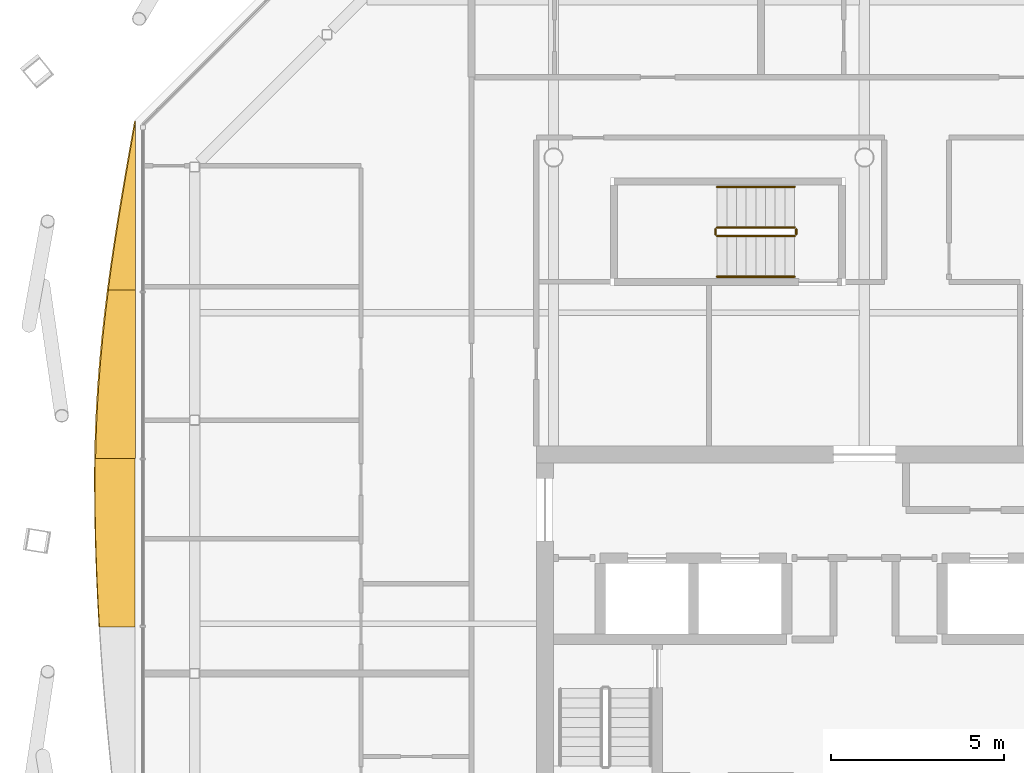
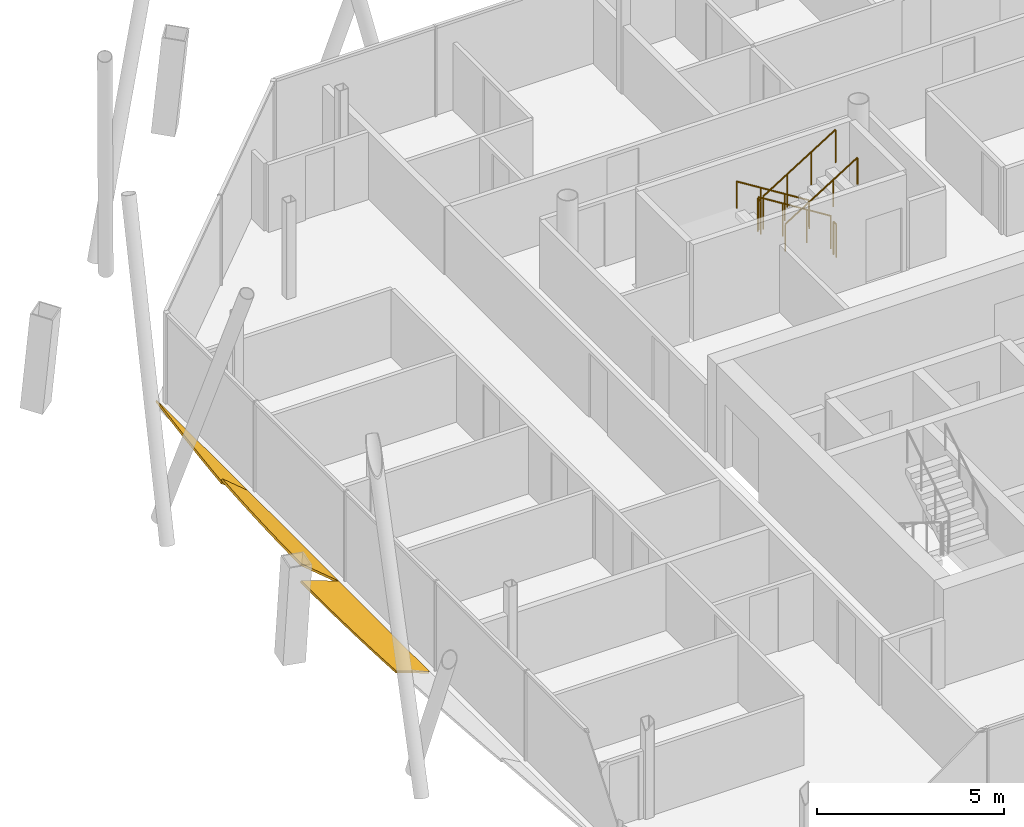
# One storey, part 16 of 17: 6 railings, 3 shading devices.
"""IFC4 building model written with IfcOpenShell, lengths in metres."""

from ifc_helpers import new_model, si_unit, direction, frame, origin, origin_2d, place, context, subcontext, project, spatial, polyline, circle, outline, extrude, material, layer, layer_set, type_object, element, save


model = new_model("IFC4")

# Units and contexts
model_context = context("Model", 3, precision=1e-05, world=origin(), true_north=direction((0.0, 1.0)))
body_context = subcontext(model_context, "Body", "Model", "MODEL_VIEW")
ifc_project = project(units=[si_unit("LENGTHUNIT", "METRE"), si_unit("AREAUNIT", "SQUARE_METRE"), si_unit("VOLUMEUNIT", "CUBIC_METRE"), si_unit("PLANEANGLEUNIT", "RADIAN"), si_unit("MASSUNIT", "GRAM", prefix="KILO")], contexts=[model_context])

# Site, building, storey
site_placement = place(None, origin())
site = spatial("IfcSite", under=ifc_project, at=site_placement, CompositionType="ELEMENT")
building_placement = place(site_placement, origin())
building = spatial("IfcBuilding", under=site, at=building_placement, Name="Tskaro Facet Tower", CompositionType="ELEMENT")
storey_placement = place(building_placement, frame((0.0, 0.0, 236.10009765625)))
storey = spatial("IfcBuildingStorey", under=building, at=storey_placement, Name="L61", CompositionType="ELEMENT", Elevation=236.10009765625)

# Shading devices
ifc_material_1 = material(Name="Bronze anodised aluminium 6063-T6", Category="aluminium")
ifc_layer = layer(ifc_material_1, 0.06005859375, Name="Bronze anodised aluminium 6063-T6")
ifc_layer_set = layer_set([ifc_layer], Name="Bronze anodised aluminium 6063-T6")
shading_device_type = type_object("IfcShadingDeviceType", Name="Bronze sun blade (FN1)", PredefinedType="USERDEFINED", material=ifc_layer_set)
shading_device_1_placement = place(storey_placement, frame((-21.1044921875, 10.052001953125, 0.049072265625), z_axis=(0.573448390661, 2.7905163e-05, 0.819241687458), x_axis=(1.6002171e-05, -0.999999999611, 2.2861073e-05)))
element("IfcShadingDevice", 1, at=shading_device_1_placement, inside=storey, type_object=shading_device_type, Name="Fin blade west 1", ObjectType="FIN", PredefinedType="USERDEFINED", context=body_context, shape_type="SweptSolid", body=[
    extrude(outline(polyline([(0.0, 0.0), (4.881835935599262, -1.654030352861034e-20), (4.881835939404421, -0.960277414026723), (4.184326170088975, -0.8442528956534843), (3.487060547533209, -0.7185479963485792), (2.7895507798838017, -0.584982793501435), (2.0922851534141733, -0.4445773237907588), (1.3947753913404168, -0.29923165852540945), (0.697509762634296, -0.15042586286857831), (0.0, 0.0)])), origin(), (0.0, 0.0, -1.0), 0.06005859375),
])
shading_device_2_placement = place(storey_placement, frame((-21.100341796875, 5.170166015625, 0.0458984375), z_axis=(0.642742180081, 4.399509e-06, 0.766082560776), x_axis=(2.82775e-06, -0.99999999999, 3.370387e-06)))
element("IfcShadingDevice", 2, at=shading_device_2_placement, inside=storey, type_object=shading_device_type, Name="Fin blade west 2", ObjectType="FIN", PredefinedType="USERDEFINED", context=body_context, shape_type="SweptSolid", body=[
    extrude(outline(polyline([(0.0, 0.0), (4.881835937452754, -2.0675379410762927e-21), (4.881835937441015, -1.5102558993115656), (4.184326171865473, -1.4885933215776166), (3.4870605472991385, -1.4501135974458728), (2.789550781111277, -1.395190790666717), (2.0922851563300604, -1.3244826915480212), (1.394775390589716, -1.2390512665456717), (0.6972656246477207, -1.1392404670124197), (-2.0852818635744638e-10, -1.026770049712024), (0.0, 0.0)])), origin(), (0.0, 0.0, -1.0), 0.06005859375),
])
shading_device_3_placement = place(storey_placement, frame((-21.118408203125, 0.288330078125, 0.056396484375), z_axis=(0.341906748539, 1.0952565e-05, 0.939733885301), x_axis=(3.744756e-06, -0.99999999994, 1.0292496e-05)))
element("IfcShadingDevice", 3, at=shading_device_3_placement, inside=storey, type_object=shading_device_type, Name="Fin blade west 3", ObjectType="FIN", PredefinedType="USERDEFINED", context=body_context, shape_type="SweptSolid", body=[
    extrude(outline(polyline([(0.0, 0.0), (4.881835937207191, 0.0), (4.881835937862047, -1.0937697256223275), (4.184326171058393, -1.1347772057381496), (3.4868164070083814, -1.1693812187830688), (2.7895507815412914, -1.1966430631209153), (2.0920410150057207, -1.2168756392970788), (1.3947753895658872, -1.2298495200934547), (0.6972656258003147, -1.2351058510738333), (0.5368652342706884, -1.2353352782919382), (-5.210572341409535e-10, -1.2311636028385493), (0.0, 0.0)])), origin(), (0.0, 0.0, -1.0), 0.06005859375),
])

# Railings
ifc_material_2 = material(Name="Stainless steel", Category="steel")
railing_type_1 = type_object("IfcRailingType", Name="RL-GUARD-1100", PredefinedType="GUARDRAIL", material=ifc_material_2)
railing_1_placement = place(storey_placement, frame((-2.02490234375, 6.97509765625, 0.1748046875)))
element("IfcRailing", 4, at=railing_1_placement, inside=storey, type_object=railing_type_1, Name="L61 ST-3 stair guard 1", PredefinedType="GUARDRAIL", context=body_context, shape_type="SweptSolid", body=[
    extrude(circle(Radius=0.02392578125, at=origin_2d()), frame((0.0, 0.0, 1.076171875), z_axis=(-0.847972341737, 0.0, 0.530040477369), x_axis=(0.0, -1.0, 0.0)), (0.0, 0.0, 1.0), 2.6416015625),
    extrude(circle(Radius=0.02099609375, at=origin_2d()), origin(), (0.0, 0.0, 1.0), 1.052001953125),
    extrude(circle(Radius=0.02099609375, at=origin_2d()), frame((-0.74658203125, 0.0, 0.466796875)), (0.0, 0.0, 1.0), 1.052001953125),
    extrude(circle(Radius=0.02099609375, at=origin_2d()), frame((-1.493408203125, 0.0, 0.933349609375)), (0.0, 0.0, 1.0), 1.052001953125),
    extrude(circle(Radius=0.02099609375, at=origin_2d()), frame((-2.239990234375, 0.0, 1.400146484375)), (0.0, 0.0, 1.0), 1.052001953125),
])
railing_2_placement = place(storey_placement, frame((-4.31494140625, 6.925048828125, 1.574951171875)))
element("IfcRailing", 5, at=railing_2_placement, inside=storey, type_object=railing_type_1, Name="L61 ST-3 stair guard 2", PredefinedType="GUARDRAIL", context=body_context, shape_type="SweptSolid", body=[
    extrude(circle(Radius=0.02392578125, at=origin_2d()), frame((0.0, 0.0, 1.076171875), z_axis=(0.0, -1.0, 0.0), x_axis=(1.0, 0.0, 0.0)), (0.0, 0.0, 1.0), 0.150146484375),
    extrude(circle(Radius=0.02099609375, at=origin_2d()), origin(), (0.0, 0.0, 1.0), 1.052001953125),
    extrude(circle(Radius=0.02099609375, at=origin_2d()), frame((0.0, -0.150146484375, 0.0)), (0.0, 0.0, 1.0), 1.052001953125),
])
railing_3_placement = place(storey_placement, frame((-4.264892578125, 6.72509765625, 1.75)))
element("IfcRailing", 6, at=railing_3_placement, inside=storey, type_object=railing_type_1, Name="L61 ST-3 stair guard 3", PredefinedType="GUARDRAIL", context=body_context, shape_type="SweptSolid", body=[
    extrude(circle(Radius=0.02392578125, at=origin_2d()), frame((0.0, 0.0, 1.076171875), z_axis=(0.848013881152, 0.0, 0.529974015752), x_axis=(0.0, 1.0, 0.0)), (0.0, 0.0, 1.0), 2.641357421875),
    extrude(circle(Radius=0.02099609375, at=origin_2d()), origin(), (0.0, 0.0, 1.0), 1.052001953125),
    extrude(circle(Radius=0.02099609375, at=origin_2d()), frame((0.74658203125, 0.0, 0.466552734375)), (0.0, 0.0, 1.0), 1.052001953125),
    extrude(circle(Radius=0.02099609375, at=origin_2d()), frame((1.493408203125, 0.0, 0.933349609375)), (0.0, 0.0, 1.0), 1.052001953125),
    extrude(circle(Radius=0.02099609375, at=origin_2d()), frame((2.239990234375, 0.0, 1.39990234375)), (0.0, 0.0, 1.0), 1.052001953125),
])
railing_4_placement = place(storey_placement, frame((-1.97509765625, 6.925048828125, 0.0)))
element("IfcRailing", 7, at=railing_4_placement, inside=storey, type_object=railing_type_1, Name="L61 ST-3 stair guard 4", PredefinedType="GUARDRAIL", context=body_context, shape_type="SweptSolid", body=[
    extrude(circle(Radius=0.02392578125, at=origin_2d()), frame((0.0, 0.0, 1.076171875), z_axis=(0.0, -1.0, 0.0), x_axis=(1.0, 0.0, 0.0)), (0.0, 0.0, 1.0), 0.150146484375),
    extrude(circle(Radius=0.02099609375, at=origin_2d()), origin(), (0.0, 0.0, 1.0), 1.052001953125),
    extrude(circle(Radius=0.02099609375, at=origin_2d()), frame((0.0, -0.150146484375, 0.0)), (0.0, 0.0, 1.0), 1.052001953125),
])
railing_type_2 = type_object("IfcRailingType", Name="RL-HANDRAIL-900", PredefinedType="HANDRAIL", material=ifc_material_2)
railing_5_placement = place(storey_placement, frame((-2.02490234375, 8.14990234375, 0.1748046875)))
element("IfcRailing", 8, at=railing_5_placement, inside=storey, type_object=railing_type_2, Name="L61 ST-3 stair handrail 1", PredefinedType="HANDRAIL", context=body_context, shape_type="SweptSolid", body=[
    extrude(circle(Radius=0.02392578125, at=origin_2d()), frame((0.0, 0.0, 0.8759765625), z_axis=(-0.847972341737, 0.0, 0.530040477369), x_axis=(0.0, -1.0, 0.0)), (0.0, 0.0, 1.0), 2.6416015625),
    extrude(circle(Radius=0.02099609375, at=origin_2d()), origin(), (0.0, 0.0, 1.0), 0.851806640625),
    extrude(circle(Radius=0.02099609375, at=origin_2d()), frame((-0.74658203125, 0.0, 0.466796875)), (0.0, 0.0, 1.0), 0.851806640625),
    extrude(circle(Radius=0.02099609375, at=origin_2d()), frame((-1.493408203125, 0.0, 0.933349609375)), (0.0, 0.0, 1.0), 0.851806640625),
    extrude(circle(Radius=0.02099609375, at=origin_2d()), frame((-2.239990234375, 0.0, 1.400146484375)), (0.0, 0.0, 1.0), 0.851806640625),
])
railing_6_placement = place(storey_placement, frame((-4.264892578125, 5.550048828125, 1.75)))
element("IfcRailing", 9, at=railing_6_placement, inside=storey, type_object=railing_type_2, Name="L61 ST-3 stair handrail 2", PredefinedType="HANDRAIL", context=body_context, shape_type="SweptSolid", body=[
    extrude(circle(Radius=0.02392578125, at=origin_2d()), frame((0.0, 0.0, 0.8759765625), z_axis=(0.848013881152, 0.0, 0.529974015752), x_axis=(0.0, 1.0, 0.0)), (0.0, 0.0, 1.0), 2.641357421875),
    extrude(circle(Radius=0.02099609375, at=origin_2d()), origin(), (0.0, 0.0, 1.0), 0.851806640625),
    extrude(circle(Radius=0.02099609375, at=origin_2d()), frame((0.74658203125, 0.0, 0.466552734375)), (0.0, 0.0, 1.0), 0.851806640625),
    extrude(circle(Radius=0.02099609375, at=origin_2d()), frame((1.493408203125, 0.0, 0.933349609375)), (0.0, 0.0, 1.0), 0.851806640625),
    extrude(circle(Radius=0.02099609375, at=origin_2d()), frame((2.239990234375, 0.0, 1.39990234375)), (0.0, 0.0, 1.0), 0.851806640625),
])

save(model, "model.ifc")
